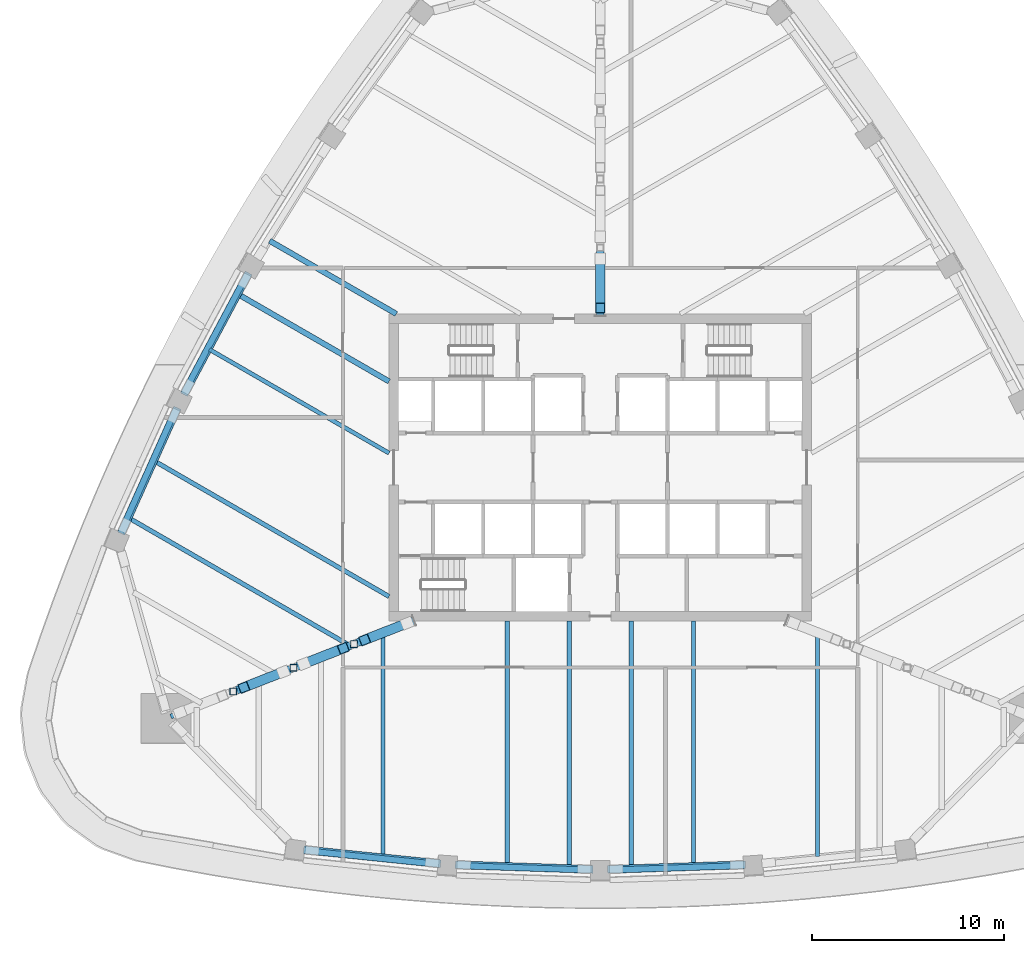
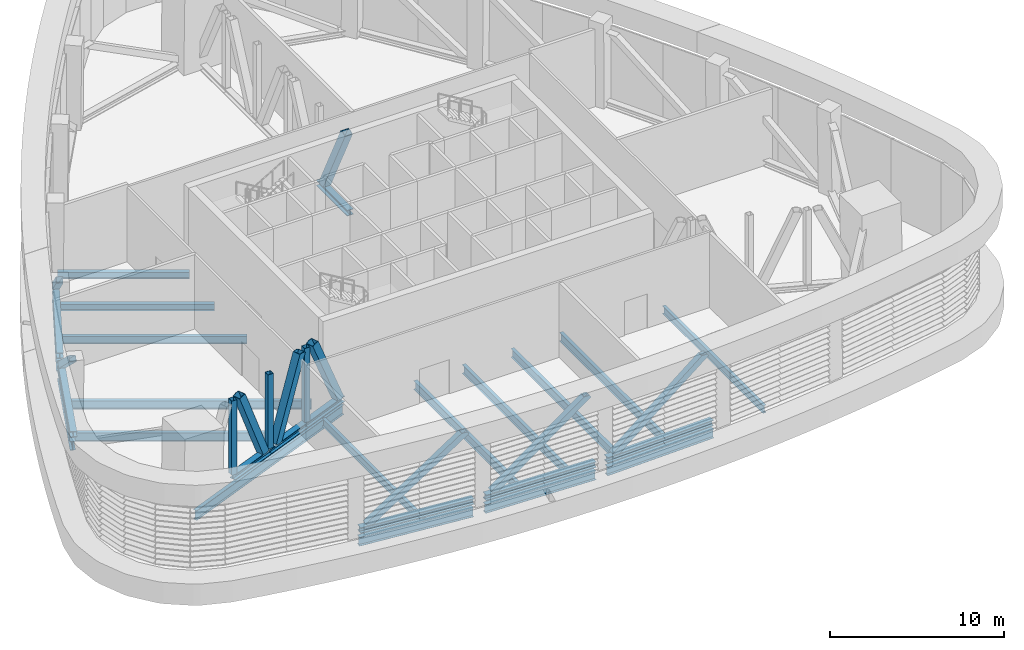
# One storey, part 2 of 18: 26 beams, 12 members.
"""IFC4 building model written with IfcOpenShell, lengths in metres."""

from ifc_helpers import new_model, si_unit, direction, frame, origin, origin_2d, place, context, subcontext, project, spatial, hollow_rectangle, i_section, extrude, clip, halfspace, material, material_profile, profile_set, type_object, element, save


model = new_model("IFC4")

# Units and contexts
model_context = context("Model", 3, precision=1e-05, world=origin(), true_north=direction((0.0, 1.0)))
body_context = subcontext(model_context, "Body", "Model", "MODEL_VIEW")
ifc_project = project(units=[si_unit("LENGTHUNIT", "METRE"), si_unit("AREAUNIT", "SQUARE_METRE"), si_unit("VOLUMEUNIT", "CUBIC_METRE"), si_unit("PLANEANGLEUNIT", "RADIAN"), si_unit("MASSUNIT", "GRAM", prefix="KILO")], contexts=[model_context])

# Site, building, storey
site_placement = place(None, origin())
site = spatial("IfcSite", under=ifc_project, at=site_placement, CompositionType="ELEMENT")
building_placement = place(site_placement, origin())
building = spatial("IfcBuilding", under=site, at=building_placement, Name="Sierra Prisma Convention Tower", CompositionType="ELEMENT")
storey_placement = place(building_placement, frame((0.0, 0.0, 213.800048828125)))
storey = spatial("IfcBuildingStorey", under=building, at=storey_placement, Name="L48", CompositionType="ELEMENT", Elevation=213.800048828125)

# Beams
ifc_material_1 = material(Name="Steel ASTM A992 Gr 50", Category="steel")
ifc_material_profile_1 = material_profile(ifc_material_1, i_section(OverallWidth=0.280029296875, OverallDepth=0.462890625, WebThickness=0.0107421875, FlangeThickness=0.017333984375, at=origin_2d()), Name="W460x113")
ifc_profile_set_1 = profile_set([ifc_material_profile_1], Name="Steel ASTM A992 Gr 50")
beam_type_1 = type_object("IfcBeamType", Name="Plant floor joist W460x113", PredefinedType="JOIST", material=ifc_profile_set_1)
beam_1_placement = place(storey_placement, frame((-17.216064453125, 11.805908203125, -0.4814453125), z_axis=(0.866033902678, -0.499985279196, 0.0), x_axis=(0.499985279196, 0.866033902678, 0.0)))
element("IfcBeam", 1, at=beam_1_placement, inside=storey, type_object=beam_type_1, Name="Floor joist L48 NW07", PredefinedType="JOIST", context=body_context, shape_type="SweptSolid", body=[
    extrude(i_section(OverallWidth=0.280029296875, OverallDepth=0.462890625, WebThickness=0.0107421875, FlangeThickness=0.017333984375, at=origin_2d()), origin(), (0.0, 0.0, 1.0), 7.612060546875),
])
beam_2_placement = place(storey_placement, frame((-18.832275390625, 9.006591796875, -0.4814453125), z_axis=(0.866025099701, -0.500000526688, 0.0), x_axis=(0.500000526688, 0.866025099701, 0.0)))
element("IfcBeam", 2, at=beam_2_placement, inside=storey, type_object=beam_type_1, Name="Floor joist L48 NW08", PredefinedType="JOIST", context=body_context, shape_type="SweptSolid", body=[
    extrude(i_section(OverallWidth=0.280029296875, OverallDepth=0.462890625, WebThickness=0.0107421875, FlangeThickness=0.017333984375, at=origin_2d()), origin(), (0.0, 0.0, 1.0), 9.0439453125),
])
ifc_material_2 = material(Name="Steel ASTM A992 Gr 50", Category="steel")
ifc_material_profile_2 = material_profile(ifc_material_2, i_section(OverallWidth=0.2119140625, OverallDepth=0.5439453125, WebThickness=0.01318359375, FlangeThickness=0.021240234375, at=origin_2d()), Name="W530x123")
ifc_profile_set_2 = profile_set([ifc_material_profile_2], Name="Steel ASTM A992 Gr 50")
beam_type_2 = type_object("IfcBeamType", Name="Plant floor joist W530x123", PredefinedType="JOIST", material=ifc_profile_set_2)
for number, where, z_axis, x_axis, name in (
    (3, (-11.313720703125, -20.25341796875, -0.52197265625), (0.0, 1.0, 0.0), (-1.0, 0.0, 0.0), "Floor joist L48 S04"),
    (4, (11.313720703125, -20.25341796875, -0.52197265625), (0.0, 1.0, 0.0), (-1.0, 0.0, 0.0), "Floor joist L48 S11"),
):
    element("IfcBeam", number, at=place(storey_placement, frame(where, z_axis=z_axis, x_axis=x_axis)), inside=storey, type_object=beam_type_2, Name=name, PredefinedType="JOIST", context=body_context, shape_type="SweptSolid", body=[
        extrude(i_section(OverallWidth=0.2119140625, OverallDepth=0.5439453125, WebThickness=0.01318359375, FlangeThickness=0.021240234375, at=origin_2d()), origin(), (0.0, 0.0, 1.0), 11.601318359375),
    ])
beam_3_placement = place(storey_placement, frame((-20.353271484375, 6.152099609375, -0.52197265625), z_axis=(0.866024093744, -0.500002269049, 0.0), x_axis=(0.500002269049, 0.866024093744, 0.0)))
element("IfcBeam", 5, at=beam_3_placement, inside=storey, type_object=beam_type_2, Name="Floor joist L48 NW09", PredefinedType="JOIST", context=body_context, shape_type="SweptSolid", body=[
    extrude(i_section(OverallWidth=0.2119140625, OverallDepth=0.5439453125, WebThickness=0.01318359375, FlangeThickness=0.021240234375, at=origin_2d()), origin(), (0.0, 0.0, 1.0), 10.80029296875),
])
ifc_material_3 = material(Name="Steel ASTM A992 Gr 50", Category="steel")
ifc_material_profile_3 = material_profile(ifc_material_3, i_section(OverallWidth=0.22900390625, OverallDepth=0.612060546875, WebThickness=0.011962890625, FlangeThickness=0.01953125, at=origin_2d()), Name="W610x125")
ifc_profile_set_3 = profile_set([ifc_material_profile_3], Name="Steel ASTM A992 Gr 50")
beam_type_3 = type_object("IfcBeamType", Name="Plant floor joist W610x125", PredefinedType="JOIST", material=ifc_profile_set_3)
beam_4_placement = place(storey_placement, frame((-4.848876953125, -20.702392578125, -0.55615234375), z_axis=(0.0, 1.0, 0.0), x_axis=(-1.0, 0.0, 0.0)))
element("IfcBeam", 6, at=beam_4_placement, inside=storey, type_object=beam_type_3, Name="Floor joist L48 S06", PredefinedType="JOIST", context=body_context, shape_type="SweptSolid", body=[
    extrude(i_section(OverallWidth=0.22900390625, OverallDepth=0.612060546875, WebThickness=0.011962890625, FlangeThickness=0.01953125, at=origin_2d()), origin(), (0.0, 0.0, 1.0), 12.702392578125),
])
for number, where, z_axis, x_axis, name in (
    (7, (-1.6162109375, -20.8125, -0.55615234375), (0.0, 1.0, 0.0), (-1.0, 0.0, 0.0), "Floor joist L48 S07"),
    (8, (1.6162109375, -20.8125, -0.55615234375), (0.0, 1.0, 0.0), (-1.0, 0.0, 0.0), "Floor joist L48 S08"),
):
    element("IfcBeam", number, at=place(storey_placement, frame(where, z_axis=z_axis, x_axis=x_axis)), inside=storey, type_object=beam_type_3, Name=name, PredefinedType="JOIST", context=body_context, shape_type="SweptSolid", body=[
        extrude(i_section(OverallWidth=0.22900390625, OverallDepth=0.612060546875, WebThickness=0.011962890625, FlangeThickness=0.01953125, at=origin_2d()), origin(), (0.0, 0.0, 1.0), 12.8125),
    ])
beam_5_placement = place(storey_placement, frame((4.848876953125, -20.702392578125, -0.55615234375), z_axis=(0.0, 1.0, 0.0), x_axis=(-1.0, 0.0, 0.0)))
element("IfcBeam", 9, at=beam_5_placement, inside=storey, type_object=beam_type_3, Name="Floor joist L48 S09", PredefinedType="JOIST", context=body_context, shape_type="SweptSolid", body=[
    extrude(i_section(OverallWidth=0.22900390625, OverallDepth=0.612060546875, WebThickness=0.011962890625, FlangeThickness=0.01953125, at=origin_2d()), origin(), (0.0, 0.0, 1.0), 12.702392578125),
])
beam_6_placement = place(storey_placement, frame((-23.19677734375, 0.32861328125, -0.55615234375), z_axis=(0.866027391063, -0.499996557917, 0.0), x_axis=(0.499996557917, 0.866027391063, 0.0)))
element("IfcBeam", 10, at=beam_6_placement, inside=storey, type_object=beam_type_3, Name="Floor joist L48 NW11", PredefinedType="JOIST", context=body_context, shape_type="SweptSolid", body=[
    extrude(i_section(OverallWidth=0.22900390625, OverallDepth=0.612060546875, WebThickness=0.011962890625, FlangeThickness=0.01953125, at=origin_2d()), origin(), (0.0, 0.0, 1.0), 14.08349609375),
])
beam_7_placement = place(storey_placement, frame((-24.526611328125, -2.63623046875, -0.55615234375), z_axis=(0.866026185661, -0.499998645748, 0.0), x_axis=(0.499998645748, 0.866026185661, 0.0)))
element("IfcBeam", 11, at=beam_7_placement, inside=storey, type_object=beam_type_3, Name="Floor joist L48 NW12", PredefinedType="JOIST", context=body_context, shape_type="SweptSolid", body=[
    extrude(i_section(OverallWidth=0.22900390625, OverallDepth=0.612060546875, WebThickness=0.011962890625, FlangeThickness=0.01953125, at=origin_2d()), origin(), (0.0, 0.0, 1.0), 13.2119140625),
])
ifc_material_4 = material(Name="Steel ASTM A992 Gr 50", Category="steel")
ifc_material_profile_4 = material_profile(ifc_material_4, i_section(OverallWidth=0.25390625, OverallDepth=0.68408203125, WebThickness=0.012451171875, FlangeThickness=0.018798828125, at=origin_2d()), Name="W690x140")
ifc_profile_set_4 = profile_set([ifc_material_profile_4], Name="Steel ASTM A992 Gr 50")
beam_type_4 = type_object("IfcBeamType", Name="Radial girder W690x140", PredefinedType="BEAM", material=ifc_profile_set_4)
beam_8_placement = place(storey_placement, frame((-22.36767578125, -12.96142578125, -0.592041015625), z_axis=(0.930144597199, 0.367193448064, 0.0), x_axis=(-0.367193448064, 0.930144597199, 0.0)))
element("IfcBeam", 12, at=beam_8_placement, inside=storey, type_object=beam_type_4, Name="Radial girder L48 SW", PredefinedType="BEAM", context=body_context, shape_type="SweptSolid", body=[
    extrude(i_section(OverallWidth=0.25390625, OverallDepth=0.68408203125, WebThickness=0.012451171875, FlangeThickness=0.018798828125, at=origin_2d()), origin(), (0.0, 0.0, 1.0), 13.63134765625),
])
ifc_material_5 = material(Name="Steel ASTM A992 Gr 50", Category="steel")
ifc_material_profile_5 = material_profile(ifc_material_5, i_section(OverallWidth=0.324951171875, OverallDepth=0.615966796875, WebThickness=0.013916015625, FlangeThickness=0.021484375, at=origin_2d()), Name="W610x174")
ifc_profile_set_5 = profile_set([ifc_material_profile_5], Name="Steel ASTM A992 Gr 50")
beam_type_5 = type_object("IfcBeamType", Name="Spandrel beam W610x174", PredefinedType="BEAM", material=ifc_profile_set_5)
beam_9_placement = place(storey_placement, frame((-15.524169921875, -19.935791015625, -0.55810546875), z_axis=(0.994804665252, -0.101802151224, 0.0), x_axis=(0.101802151224, 0.994804665252, 0.0)))
element("IfcBeam", 13, at=beam_9_placement, inside=storey, type_object=beam_type_5, Name="Spandrel L48-02", PredefinedType="BEAM", context=body_context, shape_type="SweptSolid", body=[
    extrude(i_section(OverallWidth=0.324951171875, OverallDepth=0.615966796875, WebThickness=0.013916015625, FlangeThickness=0.021484375, at=origin_2d()), origin(), (0.0, 0.0, 1.0), 7.2138671875),
])
for number, where, z_axis, x_axis, name in (
    (14, (-7.589599609375, -20.721923828125, -0.55810546875), (0.999422523631, -0.033979688917, 0.0), (0.033979688917, 0.999422523631, 0.0), "Spandrel L48-03"),
    (15, (0.380126953125, -20.967041015625, -0.55810546875), (0.999422523631, 0.033979688917, 0.0), (-0.033979688917, 0.999422523631, 0.0), "Spandrel L48-04"),
    (16, (-18.34814453125, 10.154296875, -0.55810546875), (-0.470266741635, -0.882524329246, 0.0), (0.882524329246, -0.470266741635, 0.0), "Spandrel L48-16"),
    (17, (-22.074951171875, 3.10546875, -0.55810546875), (-0.409210408801, -0.912440048074, 0.0), (0.912440048074, -0.409210408801, 0.0), "Spandrel L48-17"),
):
    element("IfcBeam", number, at=place(storey_placement, frame(where, z_axis=z_axis, x_axis=x_axis)), inside=storey, type_object=beam_type_5, Name=name, PredefinedType="BEAM", context=body_context, shape_type="SweptSolid", body=[
        extrude(i_section(OverallWidth=0.324951171875, OverallDepth=0.615966796875, WebThickness=0.013916015625, FlangeThickness=0.021484375, at=origin_2d()), origin(), (0.0, 0.0, 1.0), 7.213623046875),
    ])
ifc_material_6 = material(Name="Steel ASTM A992 Gr 50", Category="steel")
ifc_material_profile_6 = material_profile(ifc_material_6, i_section(OverallWidth=0.404052734375, OverallDepth=0.406982421875, WebThickness=0.027099609375, FlangeThickness=0.04443359375, at=origin_2d()), Name="W360x347")
ifc_profile_set_6 = profile_set([ifc_material_profile_6], Name="Steel ASTM A992 Gr 50")
beam_type_6 = type_object("IfcBeamType", Name="Truss chord W360x347", PredefinedType="BEAM", material=ifc_profile_set_6)
beam_10_placement = place(storey_placement, frame((-15.4541015625, -19.89404296875, 0.203369140625), z_axis=(0.994795590203, -0.101890793075, 0.0), x_axis=(0.101890793075, 0.994795590203, 0.0)))
element("IfcBeam", 18, at=beam_10_placement, inside=storey, type_object=beam_type_6, Name="Belt truss L48-02 bottom chord 1", PredefinedType="BEAM", context=body_context, shape_type="SweptSolid", body=[
    extrude(i_section(OverallWidth=0.404052734375, OverallDepth=0.406982421875, WebThickness=0.027099609375, FlangeThickness=0.04443359375, at=origin_2d()), origin(), (0.0, 0.0, 1.0), 7.1787109375),
])
for number, where, z_axis, x_axis, name in (
    (19, (-7.554443359375, -20.677001953125, 0.203369140625), (0.999420331817, -0.0340440942, 0.0), (0.0340440942, 0.999420331817, 0.0), "Belt truss L48-03 bottom chord 1"),
    (20, (0.380126953125, -20.92138671875, 0.203369140625), (0.999420331817, 0.0340440942, 0.0), (-0.0340440942, 0.999420331817, 0.0), "Belt truss L48-04 bottom chord 1"),
):
    element("IfcBeam", number, at=place(storey_placement, frame(where, z_axis=z_axis, x_axis=x_axis)), inside=storey, type_object=beam_type_6, Name=name, PredefinedType="BEAM", context=body_context, shape_type="SweptSolid", body=[
        extrude(i_section(OverallWidth=0.404052734375, OverallDepth=0.406982421875, WebThickness=0.027099609375, FlangeThickness=0.04443359375, at=origin_2d()), origin(), (0.0, 0.0, 1.0), 7.178466796875),
    ])
beam_11_placement = place(storey_placement, frame((-18.308349609375, 10.131591796875, 0.203369140625), z_axis=(-0.470243989618, -0.882536452634, 0.0), x_axis=(0.882536452634, -0.470243989618, 0.0)))
element("IfcBeam", 21, at=beam_11_placement, inside=storey, type_object=beam_type_6, Name="Belt truss L48-16 bottom chord 1", PredefinedType="BEAM", context=body_context, shape_type="SweptSolid", body=[
    extrude(i_section(OverallWidth=0.404052734375, OverallDepth=0.406982421875, WebThickness=0.027099609375, FlangeThickness=0.04443359375, at=origin_2d()), origin(), (0.0, 0.0, 1.0), 7.1787109375),
])
beam_12_placement = place(storey_placement, frame((-22.0185546875, 3.113525390625, 0.203369140625), z_axis=(-0.409175036838, -0.912455910841, 0.0), x_axis=(0.912455910841, -0.409175036838, 0.0)))
element("IfcBeam", 22, at=beam_12_placement, inside=storey, type_object=beam_type_6, Name="Belt truss L48-17 bottom chord 1", PredefinedType="BEAM", context=body_context, shape_type="SweptSolid", body=[
    extrude(i_section(OverallWidth=0.404052734375, OverallDepth=0.406982421875, WebThickness=0.027099609375, FlangeThickness=0.04443359375, at=origin_2d()), origin(), (0.0, 0.0, 1.0), 7.178466796875),
])
beam_13_placement = place(storey_placement, frame((0.0, 11.451904296875, 0.203369140625), z_axis=(0.0, -1.0, 0.0), x_axis=(1.0, 0.0, 0.0)))
element("IfcBeam", 23, at=beam_13_placement, inside=storey, type_object=beam_type_6, Name="Outrigger truss L48 N bottom chord 5", PredefinedType="BEAM", context=body_context, shape_type="SweptSolid", body=[
    extrude(i_section(OverallWidth=0.404052734375, OverallDepth=0.406982421875, WebThickness=0.027099609375, FlangeThickness=0.04443359375, at=origin_2d()), origin(), (0.0, 0.0, 1.0), 3.556884765625),
])
beam_14_placement = place(storey_placement, frame((-19.114013671875, -11.662109375, 0.203369140625), z_axis=(0.930645096408, 0.365923085541, 0.0), x_axis=(-0.365923085541, 0.930645096408, 0.0)))
element("IfcBeam", 24, at=beam_14_placement, inside=storey, type_object=beam_type_6, Name="Outrigger truss L48 SW bottom chord 2", PredefinedType="BEAM", context=body_context, shape_type="SweptSolid", body=[
    extrude(i_section(OverallWidth=0.404052734375, OverallDepth=0.406982421875, WebThickness=0.027099609375, FlangeThickness=0.04443359375, at=origin_2d()), origin(), (0.0, 0.0, 1.0), 3.3759765625),
])
beam_15_placement = place(storey_placement, frame((-15.97216796875, -10.4267578125, 0.203369140625), z_axis=(0.930654778631, 0.365898459974, 0.0), x_axis=(-0.365898459974, 0.930654778631, 0.0)))
element("IfcBeam", 25, at=beam_15_placement, inside=storey, type_object=beam_type_6, Name="Outrigger truss L48 SW bottom chord 3", PredefinedType="BEAM", context=body_context, shape_type="SweptSolid", body=[
    extrude(i_section(OverallWidth=0.404052734375, OverallDepth=0.406982421875, WebThickness=0.027099609375, FlangeThickness=0.04443359375, at=origin_2d()), origin(), (0.0, 0.0, 1.0), 3.376220703125),
])
beam_16_placement = place(storey_placement, frame((-12.830078125, -9.19140625, 0.203369140625), z_axis=(0.930649915658, 0.365910828598, 0.0), x_axis=(-0.365910828598, 0.930649915658, 0.0)))
element("IfcBeam", 26, at=beam_16_placement, inside=storey, type_object=beam_type_6, Name="Outrigger truss L48 SW bottom chord 4", PredefinedType="BEAM", context=body_context, shape_type="SweptSolid", body=[
    extrude(i_section(OverallWidth=0.404052734375, OverallDepth=0.406982421875, WebThickness=0.027099609375, FlangeThickness=0.04443359375, at=origin_2d()), origin(), (0.0, 0.0, 1.0), 3.36083984375),
])

# Members
ifc_material_7 = material(Name="Steel ASTM A500 Gr C", Category="steel")
ifc_material_profile_7 = material_profile(ifc_material_7, hollow_rectangle(XDim=0.406005859375, YDim=0.406005859375, WallThickness=0.01904296875, at=origin_2d()), Name="Truss diagonal HSS 406x406x19")
ifc_profile_set_7 = profile_set([ifc_material_profile_7], Name="Steel ASTM A500 Gr C")
member_type_1 = type_object("IfcMemberType", Name="Truss diagonal HSS 406x406x19", PredefinedType="BRACE", material=ifc_profile_set_7)
member_1_placement = place(storey_placement, frame((-15.00341796875, -19.940185546875, 0.406982421875), z_axis=(0.788400883793, -0.080752484889, 0.60983857095), x_axis=(0.101892581208, 0.994795407054, 0.0)))
element("IfcMember", 27, at=member_1_placement, inside=storey, type_object=member_type_1, Name="Belt truss L48-02 diagonal 1", PredefinedType="BRACE", context=body_context, shape_type="SweptSolid", body=[
    clip(clip(extrude(hollow_rectangle(XDim=0.406005859375, YDim=0.406005859375, WallThickness=0.01904296875, at=origin_2d()), origin(), (0.0, 0.0, 1.0), 7.9150390625), halfspace(frame((0.0, 0.01171875, 0.009033203125), z_axis=(0.0, 0.792525657239, 0.60983857095), x_axis=(1.0, 0.0, 0.0)), True)), halfspace(frame((0.0, -0.01171875, 7.90576171875), z_axis=(0.0, -0.792525657239, -0.60983857095), x_axis=(1.0, 0.0, 0.0)), True)),
])
member_2_placement = place(storey_placement, frame((-7.101806640625, -20.6923828125, 0.406982421875), z_axis=(0.792056512508, -0.026990008896, 0.609850818163), x_axis=(0.034056095979, 0.999419922919, 0.0)))
element("IfcMember", 28, at=member_2_placement, inside=storey, type_object=member_type_1, Name="Belt truss L48-03 diagonal 1", PredefinedType="BRACE", context=body_context, shape_type="SweptSolid", body=[
    clip(clip(extrude(hollow_rectangle(XDim=0.406005859375, YDim=0.406005859375, WallThickness=0.01904296875, at=origin_2d()), origin(), (0.0, 0.0, 1.0), 7.914794921875), halfspace(frame((-0.000244140625, 0.01171875, 0.009033203125), z_axis=(0.0, 0.792516233011, 0.609850818163), x_axis=(1.0, 0.0, 0.0)), True)), halfspace(frame((0.0, -0.01171875, 7.90576171875), z_axis=(0.0, -0.792516233011, -0.609850818163), x_axis=(1.0, 0.0, 0.0)), True)),
])
member_3_placement = place(storey_placement, frame((0.832763671875, -20.906005859375, 0.406982421875), z_axis=(0.792056512508, 0.026990008896, 0.609850818163), x_axis=(-0.034056095979, 0.999419922919, 0.0)))
element("IfcMember", 29, at=member_3_placement, inside=storey, type_object=member_type_1, Name="Belt truss L48-04 diagonal 1", PredefinedType="BRACE", context=body_context, shape_type="SweptSolid", body=[
    clip(clip(extrude(hollow_rectangle(XDim=0.406005859375, YDim=0.406005859375, WallThickness=0.01904296875, at=origin_2d()), origin(), (0.0, 0.0, 1.0), 7.914794921875), halfspace(frame((0.0, 0.01171875, 0.009033203125), z_axis=(0.0, 0.792516233011, 0.609850818163), x_axis=(1.0, 0.0, 0.0)), True)), halfspace(frame((-0.000244140625, -0.01171875, 7.90576171875), z_axis=(0.0, -0.792516233011, -0.609850818163), x_axis=(1.0, 0.0, 0.0)), True)),
])
member_4_placement = place(storey_placement, frame((-18.521484375, 9.731689453125, 0.406982421875), z_axis=(-0.372677149285, -0.699425124982, 0.609849355944), x_axis=(0.882536032481, -0.470244778145, 0.0)))
element("IfcMember", 30, at=member_4_placement, inside=storey, type_object=member_type_1, Name="Belt truss L48-16 diagonal 1", PredefinedType="BRACE", context=body_context, shape_type="SweptSolid", body=[
    clip(clip(extrude(hollow_rectangle(XDim=0.406005859375, YDim=0.406005859375, WallThickness=0.01904296875, at=origin_2d()), origin(), (0.0, 0.0, 1.0), 7.914794921875), halfspace(frame((0.0, 0.011962890625, 0.009033203125), z_axis=(0.0, 0.792517358204, 0.609849355944), x_axis=(1.0, 0.0, 0.0)), True)), halfspace(frame((0.0, -0.01171875, 7.90576171875), z_axis=(0.0, -0.792517358204, -0.609849355944), x_axis=(1.0, 0.0, 0.0)), True)),
])
member_5_placement = place(storey_placement, frame((-22.203857421875, 2.700439453125, 0.406982421875), z_axis=(-0.324270937572, -0.723155343991, 0.609831704246), x_axis=(0.912463232095, -0.40915871013, 0.0)))
element("IfcMember", 31, at=member_5_placement, inside=storey, type_object=member_type_1, Name="Belt truss L48-17 diagonal 1", PredefinedType="BRACE", context=body_context, shape_type="SweptSolid", body=[
    clip(clip(extrude(hollow_rectangle(XDim=0.406005859375, YDim=0.406005859375, WallThickness=0.01904296875, at=origin_2d()), origin(), (0.0, 0.0, 1.0), 7.9150390625), halfspace(frame((0.0, 0.01171875, 0.009033203125), z_axis=(0.0, 0.792530941034, 0.609831704246), x_axis=(1.0, 0.0, 0.0)), True)), halfspace(frame((0.0, -0.01171875, 7.906005859375), z_axis=(0.0, -0.792530941034, -0.609831704246), x_axis=(1.0, 0.0, 0.0)), True)),
])
ifc_material_8 = material(Name="Steel ASTM A572 Gr 50", Category="steel")
ifc_material_profile_8 = material_profile(ifc_material_8, hollow_rectangle(XDim=0.508056640625, YDim=0.508056640625, WallThickness=0.025390625, at=origin_2d()), Name="Truss diagonal HSS 508x508x25")
ifc_profile_set_8 = profile_set([ifc_material_profile_8], Name="Steel ASTM A572 Gr 50")
member_type_2 = type_object("IfcMemberType", Name="Truss diagonal HSS 508x508x25", PredefinedType="BRACE", material=ifc_profile_set_8)
member_6_placement = place(storey_placement, frame((0.0, 10.87060546875, 0.406982421875), z_axis=(0.0, -0.443227726783, 0.896409048488), x_axis=(1.0, 0.0, 0.0)))
element("IfcMember", 32, at=member_6_placement, inside=storey, type_object=member_type_2, Name="Outrigger truss L48 N diagonal 5", PredefinedType="BRACE", context=body_context, shape_type="SweptSolid", body=[
    clip(clip(extrude(hollow_rectangle(XDim=0.508056640625, YDim=0.508056640625, WallThickness=0.025390625, at=origin_2d()), origin(), (0.0, 0.0, 1.0), 5.837646484375), halfspace(frame((0.0, 0.00634765625, 0.013427734375), z_axis=(0.0, 0.443227726783, 0.896409048488), x_axis=(1.0, 0.0, 0.0)), True)), halfspace(frame((0.0, 0.0, 5.837646484375), z_axis=(0.0, -0.443227726783, -0.896409048488), x_axis=(1.0, 0.0, 0.0)), True)),
])
member_7_placement = place(storey_placement, frame((-18.57958984375, -11.451904296875, 5.639892578125), z_axis=(0.364534251756, 0.143332532573, -0.920092693375), x_axis=(-0.365923609208, 0.930644890505, 0.0)))
element("IfcMember", 33, at=member_7_placement, inside=storey, type_object=member_type_2, Name="Outrigger truss L48 SW diagonal 2", PredefinedType="BRACE", context=body_context, shape_type="SweptSolid", body=[
    clip(clip(extrude(hollow_rectangle(XDim=0.508056640625, YDim=0.508056640625, WallThickness=0.025390625, at=origin_2d()), origin(), (0.0, 0.0, 1.0), 5.687255859375), halfspace(frame((0.0, 0.0, 0.0), z_axis=(0.0, -0.391700696447, 0.920092693375), x_axis=(1.0, 0.0, 0.0)), True)), halfspace(frame((0.0, 0.005859375, 5.673583984375), z_axis=(0.0, 0.391700696447, -0.920092693375), x_axis=(1.0, 0.0, 0.0)), True)),
])
member_8_placement = place(storey_placement, frame((-15.437744140625, -10.216552734375, 0.406982421875), z_axis=(0.364534251756, 0.143332532573, 0.920092693375), x_axis=(-0.365923609208, 0.930644890505, 0.0)))
element("IfcMember", 34, at=member_8_placement, inside=storey, type_object=member_type_2, Name="Outrigger truss L48 SW diagonal 3", PredefinedType="BRACE", context=body_context, shape_type="SweptSolid", body=[
    clip(clip(extrude(hollow_rectangle(XDim=0.508056640625, YDim=0.508056640625, WallThickness=0.025390625, at=origin_2d()), origin(), (0.0, 0.0, 1.0), 5.687255859375), halfspace(frame((0.0, 0.005859375, 0.013671875), z_axis=(0.0, 0.391700696447, 0.920092693375), x_axis=(1.0, 0.0, 0.0)), True)), halfspace(frame((0.0, 0.0, 5.687255859375), z_axis=(0.0, -0.391700696447, -0.920092693375), x_axis=(1.0, 0.0, 0.0)), True)),
])
member_9_placement = place(storey_placement, frame((-12.292724609375, -8.97998046875, 5.639892578125), z_axis=(0.387844361265, 0.152465880672, -0.909027450997), x_axis=(-0.365857024687, 0.930671068363, 0.0)))
element("IfcMember", 35, at=member_9_placement, inside=storey, type_object=member_type_2, Name="Outrigger truss L48 SW diagonal 4", PredefinedType="BRACE", context=body_context, shape_type="SweptSolid", body=[
    clip(clip(extrude(hollow_rectangle(XDim=0.508056640625, YDim=0.508056640625, WallThickness=0.025390625, at=origin_2d()), origin(), (0.0, 0.0, 1.0), 5.756591796875), halfspace(frame((0.0, 0.0, 0.0), z_axis=(0.0, -0.416736239526, 0.909027450997), x_axis=(1.0, 0.0, 0.0)), True)), halfspace(frame((0.0, 0.006103515625, 5.7431640625), z_axis=(0.0, 0.416736239526, -0.909027450997), x_axis=(1.0, 0.0, 0.0)), True)),
])
ifc_material_9 = material(Name="Steel ASTM A500 Gr C", Category="steel")
ifc_material_profile_9 = material_profile(ifc_material_9, hollow_rectangle(XDim=0.35595703125, YDim=0.35595703125, WallThickness=0.015869140625, at=origin_2d()), Name="Truss post HSS 356x356x16")
ifc_profile_set_9 = profile_set([ifc_material_profile_9], Name="Steel ASTM A500 Gr C")
member_type_3 = type_object("IfcMemberType", Name="Truss post HSS 356x356x16", PredefinedType="POST", material=ifc_profile_set_9)
for number, where, z_axis, x_axis, name in (
    (36, (-19.114013671875, -11.662109375, 0.421875), (0.0, 0.0, 1.0), (1.0, 0.0, 0.0), "Outrigger truss L48 SW post 1"),
    (37, (-15.97216796875, -10.4267578125, 0.421875), (0.0, 0.0, 1.0), (1.0, 0.0, 0.0), "Outrigger truss L48 SW post 2"),
    (38, (-12.830078125, -9.19140625, 0.421875), (0.0, 0.0, 1.0), (1.0, 0.0, 0.0), "Outrigger truss L48 SW post 3"),
):
    element("IfcMember", number, at=place(storey_placement, frame(where, z_axis=z_axis, x_axis=x_axis)), inside=storey, type_object=member_type_3, Name=name, PredefinedType="POST", context=body_context, shape_type="SweptSolid", body=[
        extrude(hollow_rectangle(XDim=0.35595703125, YDim=0.35595703125, WallThickness=0.015869140625, at=origin_2d()), origin(), (0.0, 0.0, 1.0), 5.218017578125),
    ])

save(model, "model.ifc")
